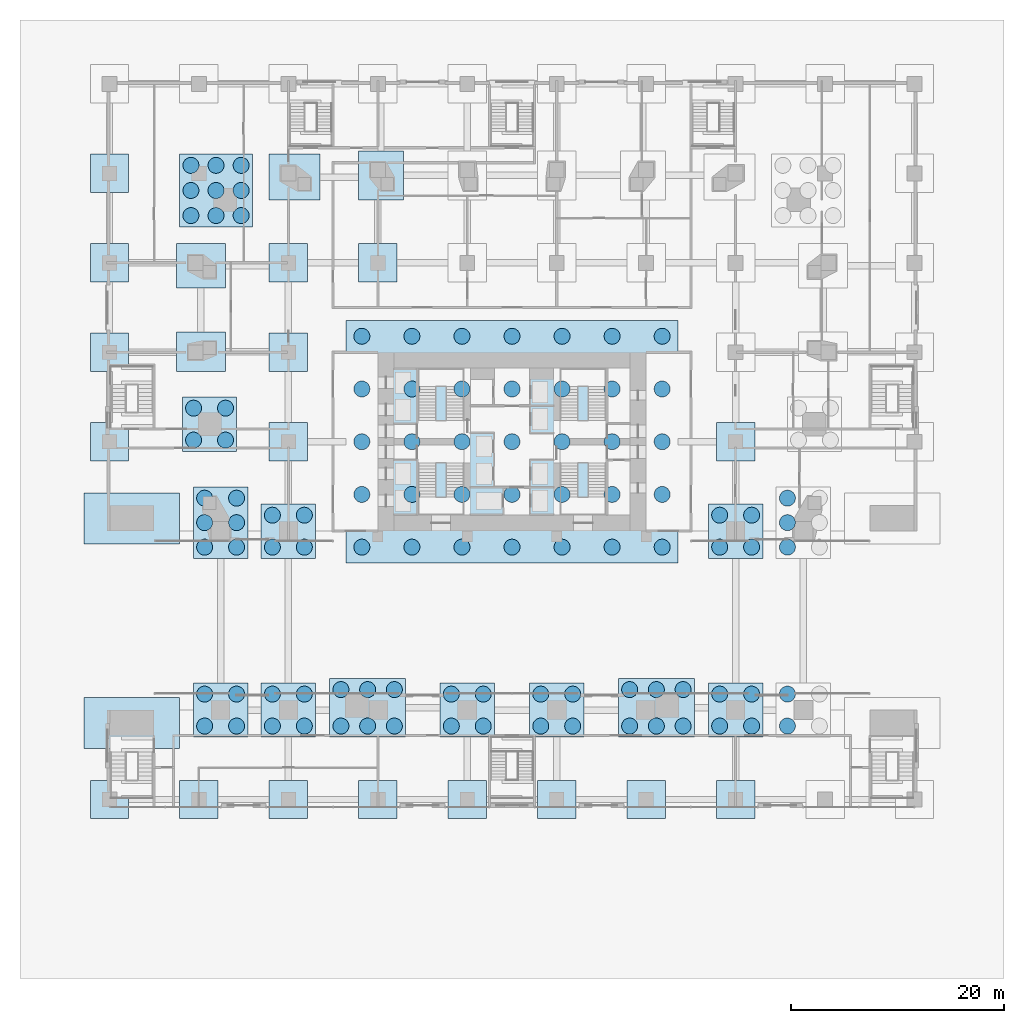
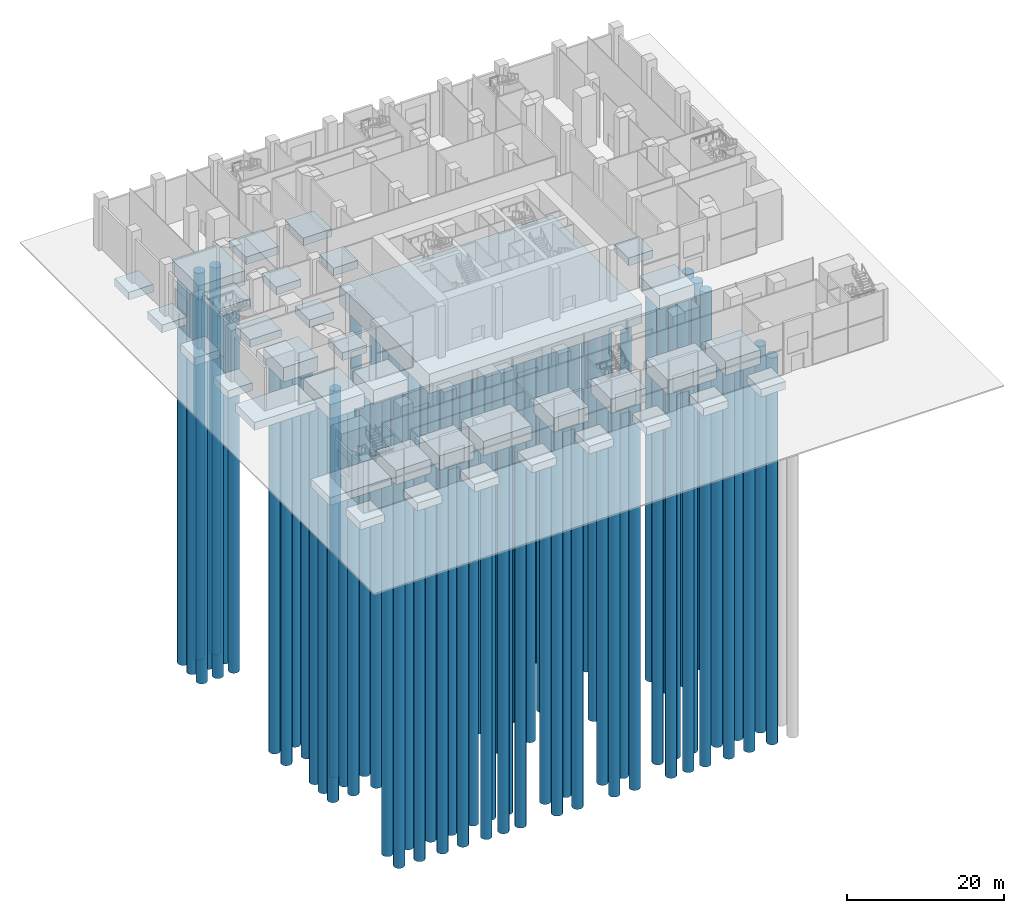
# One storey, part 1 of 31: 99 piles, 36 footings.
"""IFC4 building model written with IfcOpenShell, lengths in metres."""

from ifc_helpers import new_model, si_unit, direction, frame, origin, origin_2d, place, context, subcontext, project, spatial, polyline, circle, outline, extrude, material, layer, layer_set, type_object, element, save


model = new_model("IFC4")

# Units and contexts
model_context = context("Model", 3, precision=1e-05, world=origin(), true_north=direction((0.0, 1.0)))
body_context = subcontext(model_context, "Body", "Model", "MODEL_VIEW")
ifc_project = project(units=[si_unit("LENGTHUNIT", "METRE"), si_unit("AREAUNIT", "SQUARE_METRE"), si_unit("VOLUMEUNIT", "CUBIC_METRE"), si_unit("PLANEANGLEUNIT", "RADIAN"), si_unit("MASSUNIT", "GRAM", prefix="KILO")], contexts=[model_context])

# Site, building, storey
site_placement = place(None, origin())
site = spatial("IfcSite", under=ifc_project, at=site_placement, CompositionType="ELEMENT")
building_placement = place(site_placement, origin())
building = spatial("IfcBuilding", under=site, at=building_placement, Name="Marenta Gate Hotel Tower", CompositionType="ELEMENT")
storey_placement = place(building_placement, origin())
storey = spatial("IfcBuildingStorey", under=building, at=storey_placement, Name="L00", CompositionType="ELEMENT", Elevation=0.0)

# Piles
ifc_material_1 = material(Name="Concrete C40", Category="concrete")
pile_type = type_object("IfcPileType", Name="Bored pile D1500", PredefinedType="BORED", material=ifc_material_1)
for number, where, z_axis, x_axis, name in (
    (1, (-14.10009765625, -1.5, -3.300048828125), (0.0, 0.0, -1.0), (1.0, 0.0, 0.0), "BP-1500 L00-PL-CORE1"),
    (2, (-14.10009765625, 3.449951171875, -3.300048828125), (0.0, 0.0, -1.0), (1.0, 0.0, 0.0), "BP-1500 L00-PL-CORE2"),
    (3, (-14.10009765625, 8.39990234375, -3.300048828125), (0.0, 0.0, -1.0), (1.0, 0.0, 0.0), "BP-1500 L00-PL-CORE3"),
    (4, (-14.10009765625, 13.35009765625, -3.300048828125), (0.0, 0.0, -1.0), (1.0, 0.0, 0.0), "BP-1500 L00-PL-CORE4"),
    (5, (-14.10009765625, 18.300048828125, -3.300048828125), (0.0, 0.0, -1.0), (1.0, 0.0, 0.0), "BP-1500 L00-PL-CORE5"),
    (6, (-9.39990234375, -1.5, -3.300048828125), (0.0, 0.0, -1.0), (1.0, 0.0, 0.0), "BP-1500 L00-PL-CORE6"),
    (7, (-9.39990234375, 3.449951171875, -3.300048828125), (0.0, 0.0, -1.0), (1.0, 0.0, 0.0), "BP-1500 L00-PL-CORE7"),
    (8, (-9.39990234375, 8.39990234375, -3.300048828125), (0.0, 0.0, -1.0), (1.0, 0.0, 0.0), "BP-1500 L00-PL-CORE8"),
    (9, (-9.39990234375, 13.35009765625, -3.300048828125), (0.0, 0.0, -1.0), (1.0, 0.0, 0.0), "BP-1500 L00-PL-CORE9"),
    (10, (-9.39990234375, 18.300048828125, -3.300048828125), (0.0, 0.0, -1.0), (1.0, 0.0, 0.0), "BP-1500 L00-PL-CORE10"),
    (11, (-4.699951171875, -1.5, -3.300048828125), (0.0, 0.0, -1.0), (1.0, 0.0, 0.0), "BP-1500 L00-PL-CORE11"),
    (12, (-4.699951171875, 3.449951171875, -3.300048828125), (0.0, 0.0, -1.0), (1.0, 0.0, 0.0), "BP-1500 L00-PL-CORE12"),
    (13, (-4.699951171875, 8.39990234375, -3.300048828125), (0.0, 0.0, -1.0), (1.0, 0.0, 0.0), "BP-1500 L00-PL-CORE13"),
    (14, (-4.699951171875, 13.35009765625, -3.300048828125), (0.0, 0.0, -1.0), (1.0, 0.0, 0.0), "BP-1500 L00-PL-CORE14"),
    (15, (-4.699951171875, 18.300048828125, -3.300048828125), (0.0, 0.0, -1.0), (1.0, 0.0, 0.0), "BP-1500 L00-PL-CORE15"),
    (16, (0.0, -1.5, -3.300048828125), (0.0, 0.0, -1.0), (1.0, 0.0, 0.0), "BP-1500 L00-PL-CORE16"),
    (17, (0.0, 3.449951171875, -3.300048828125), (0.0, 0.0, -1.0), (1.0, 0.0, 0.0), "BP-1500 L00-PL-CORE17"),
    (18, (0.0, 8.39990234375, -3.300048828125), (0.0, 0.0, -1.0), (1.0, 0.0, 0.0), "BP-1500 L00-PL-CORE18"),
    (19, (0.0, 13.35009765625, -3.300048828125), (0.0, 0.0, -1.0), (1.0, 0.0, 0.0), "BP-1500 L00-PL-CORE19"),
    (20, (0.0, 18.300048828125, -3.300048828125), (0.0, 0.0, -1.0), (1.0, 0.0, 0.0), "BP-1500 L00-PL-CORE20"),
    (21, (4.699951171875, -1.5, -3.300048828125), (0.0, 0.0, -1.0), (1.0, 0.0, 0.0), "BP-1500 L00-PL-CORE21"),
    (22, (4.699951171875, 3.449951171875, -3.300048828125), (0.0, 0.0, -1.0), (1.0, 0.0, 0.0), "BP-1500 L00-PL-CORE22"),
    (23, (4.699951171875, 8.39990234375, -3.300048828125), (0.0, 0.0, -1.0), (1.0, 0.0, 0.0), "BP-1500 L00-PL-CORE23"),
    (24, (4.699951171875, 13.35009765625, -3.300048828125), (0.0, 0.0, -1.0), (1.0, 0.0, 0.0), "BP-1500 L00-PL-CORE24"),
    (25, (4.699951171875, 18.300048828125, -3.300048828125), (0.0, 0.0, -1.0), (1.0, 0.0, 0.0), "BP-1500 L00-PL-CORE25"),
    (26, (9.39990234375, -1.5, -3.300048828125), (0.0, 0.0, -1.0), (1.0, 0.0, 0.0), "BP-1500 L00-PL-CORE26"),
    (27, (9.39990234375, 3.449951171875, -3.300048828125), (0.0, 0.0, -1.0), (1.0, 0.0, 0.0), "BP-1500 L00-PL-CORE27"),
    (28, (9.39990234375, 8.39990234375, -3.300048828125), (0.0, 0.0, -1.0), (1.0, 0.0, 0.0), "BP-1500 L00-PL-CORE28"),
    (29, (9.39990234375, 13.35009765625, -3.300048828125), (0.0, 0.0, -1.0), (1.0, 0.0, 0.0), "BP-1500 L00-PL-CORE29"),
    (30, (9.39990234375, 18.300048828125, -3.300048828125), (0.0, 0.0, -1.0), (1.0, 0.0, 0.0), "BP-1500 L00-PL-CORE30"),
    (31, (14.10009765625, -1.5, -3.300048828125), (0.0, 0.0, -1.0), (1.0, 0.0, 0.0), "BP-1500 L00-PL-CORE31"),
    (32, (14.10009765625, 3.449951171875, -3.300048828125), (0.0, 0.0, -1.0), (1.0, 0.0, 0.0), "BP-1500 L00-PL-CORE32"),
    (33, (14.10009765625, 8.39990234375, -3.300048828125), (0.0, 0.0, -1.0), (1.0, 0.0, 0.0), "BP-1500 L00-PL-CORE33"),
    (34, (14.10009765625, 13.35009765625, -3.300048828125), (0.0, 0.0, -1.0), (1.0, 0.0, 0.0), "BP-1500 L00-PL-CORE34"),
    (35, (14.10009765625, 18.300048828125, -3.300048828125), (0.0, 0.0, -1.0), (1.0, 0.0, 0.0), "BP-1500 L00-PL-CORE35"),
    (36, (-22.5, -18.300048828125, -2.5), (0.0, 0.0, -1.0), (1.0, 0.0, 0.0), "BP-1500 L00-PL-4/D-1"),
    (37, (-22.5, -15.300048828125, -2.5), (0.0, 0.0, -1.0), (1.0, 0.0, 0.0), "BP-1500 L00-PL-4/D-2"),
    (38, (-19.5, -18.300048828125, -2.5), (0.0, 0.0, -1.0), (1.0, 0.0, 0.0), "BP-1500 L00-PL-4/D-3"),
    (39, (-19.5, -15.300048828125, -2.5), (0.0, 0.0, -1.0), (1.0, 0.0, 0.0), "BP-1500 L00-PL-4/D-4"),
    (40, (-16.06591796875, -18.300048828125, -2.5), (0.0, 0.0, -1.0), (1.0, 0.0, 0.0), "BP-1500 L00-PL-5/D+SKW-mega-1"),
    (41, (-16.06591796875, -14.875, -2.5), (0.0, 0.0, -1.0), (1.0, 0.0, 0.0), "BP-1500 L00-PL-5/D+SKW-mega-2"),
    (42, (-13.555908203125, -18.300048828125, -2.5), (0.0, 0.0, -1.0), (1.0, 0.0, 0.0), "BP-1500 L00-PL-5/D+SKW-mega-3"),
    (43, (-13.555908203125, -14.875, -2.5), (0.0, 0.0, -1.0), (1.0, 0.0, 0.0), "BP-1500 L00-PL-5/D+SKW-mega-4"),
    (44, (-11.0458984375, -18.300048828125, -2.5), (0.0, 0.0, -1.0), (1.0, 0.0, 0.0), "BP-1500 L00-PL-5/D+SKW-mega-5"),
    (45, (-11.0458984375, -14.875, -2.5), (0.0, 0.0, -1.0), (1.0, 0.0, 0.0), "BP-1500 L00-PL-5/D+SKW-mega-6"),
    (46, (-5.699951171875, -18.300048828125, -2.5), (0.0, 0.0, -1.0), (1.0, 0.0, 0.0), "BP-1500 L00-PL-6/D-1"),
    (47, (-5.699951171875, -15.300048828125, -2.5), (0.0, 0.0, -1.0), (1.0, 0.0, 0.0), "BP-1500 L00-PL-6/D-2"),
    (48, (-2.699951171875, -18.300048828125, -2.5), (0.0, 0.0, -1.0), (1.0, 0.0, 0.0), "BP-1500 L00-PL-6/D-3"),
    (49, (-2.699951171875, -15.300048828125, -2.5), (0.0, 0.0, -1.0), (1.0, 0.0, 0.0), "BP-1500 L00-PL-6/D-4"),
    (50, (2.699951171875, -18.300048828125, -2.5), (0.0, 0.0, -1.0), (1.0, 0.0, 0.0), "BP-1500 L00-PL-7/D-1"),
    (51, (2.699951171875, -15.300048828125, -2.5), (0.0, 0.0, -1.0), (1.0, 0.0, 0.0), "BP-1500 L00-PL-7/D-2"),
    (52, (5.699951171875, -18.300048828125, -2.5), (0.0, 0.0, -1.0), (1.0, 0.0, 0.0), "BP-1500 L00-PL-7/D-3"),
    (53, (5.699951171875, -15.300048828125, -2.5), (0.0, 0.0, -1.0), (1.0, 0.0, 0.0), "BP-1500 L00-PL-7/D-4"),
    (54, (11.0458984375, -18.300048828125, -2.5), (0.0, 0.0, -1.0), (1.0, 0.0, 0.0), "BP-1500 L00-PL-8/D+SKE-mega-1"),
    (55, (11.0458984375, -14.875, -2.5), (0.0, 0.0, -1.0), (1.0, 0.0, 0.0), "BP-1500 L00-PL-8/D+SKE-mega-2"),
    (56, (13.555908203125, -18.300048828125, -2.5), (0.0, 0.0, -1.0), (1.0, 0.0, 0.0), "BP-1500 L00-PL-8/D+SKE-mega-3"),
    (57, (13.555908203125, -14.875, -2.5), (0.0, 0.0, -1.0), (1.0, 0.0, 0.0), "BP-1500 L00-PL-8/D+SKE-mega-4"),
    (58, (16.06591796875, -18.300048828125, -2.5), (0.0, 0.0, -1.0), (1.0, 0.0, 0.0), "BP-1500 L00-PL-8/D+SKE-mega-5"),
    (59, (16.06591796875, -14.875, -2.5), (0.0, 0.0, -1.0), (1.0, 0.0, 0.0), "BP-1500 L00-PL-8/D+SKE-mega-6"),
    (60, (19.5, -18.300048828125, -2.5), (0.0, 0.0, -1.0), (1.0, 0.0, 0.0), "BP-1500 L00-PL-9/D-1"),
    (61, (19.5, -15.300048828125, -2.5), (0.0, 0.0, -1.0), (1.0, 0.0, 0.0), "BP-1500 L00-PL-9/D-2"),
    (62, (22.5, -18.300048828125, -2.5), (0.0, 0.0, -1.0), (1.0, 0.0, 0.0), "BP-1500 L00-PL-9/D-3"),
    (63, (22.5, -15.300048828125, -2.5), (0.0, 0.0, -1.0), (1.0, 0.0, 0.0), "BP-1500 L00-PL-9/D-4"),
    (64, (-22.5, -1.5, -2.5), (0.0, 0.0, -1.0), (1.0, 0.0, 0.0), "BP-1500 L00-PL-4/F-1"),
    (65, (-22.5, 1.5, -2.5), (0.0, 0.0, -1.0), (1.0, 0.0, 0.0), "BP-1500 L00-PL-4/F-2"),
    (66, (-19.5, -1.5, -2.5), (0.0, 0.0, -1.0), (1.0, 0.0, 0.0), "BP-1500 L00-PL-4/F-3"),
    (67, (-19.5, 1.5, -2.5), (0.0, 0.0, -1.0), (1.0, 0.0, 0.0), "BP-1500 L00-PL-4/F-4"),
    (68, (19.5, -1.5, -2.5), (0.0, 0.0, -1.0), (1.0, 0.0, 0.0), "BP-1500 L00-PL-9/F-1"),
    (69, (19.5, 1.5, -2.5), (0.0, 0.0, -1.0), (1.0, 0.0, 0.0), "BP-1500 L00-PL-9/F-2"),
    (70, (22.5, -1.5, -2.5), (0.0, 0.0, -1.0), (1.0, 0.0, 0.0), "BP-1500 L00-PL-9/F-3"),
    (71, (22.5, 1.5, -2.5), (0.0, 0.0, -1.0), (1.0, 0.0, 0.0), "BP-1500 L00-PL-9/F-4"),
    (72, (-30.14990234375, 29.635009765625, -2.5), (0.0, 0.0, -1.0), (1.0, 0.0, 0.0), "BP-1500 L00-PL-3/J+NW-mega-1"),
    (73, (-30.14990234375, 31.991943359375, -2.5), (0.0, 0.0, -1.0), (1.0, 0.0, 0.0), "BP-1500 L00-PL-3/J+NW-mega-2"),
    (74, (-30.14990234375, 34.35009765625, -2.5), (0.0, 0.0, -1.0), (1.0, 0.0, 0.0), "BP-1500 L00-PL-3/J+NW-mega-3"),
    (75, (-27.79296875, 29.635009765625, -2.5), (0.0, 0.0, -1.0), (1.0, 0.0, 0.0), "BP-1500 L00-PL-3/J+NW-mega-4"),
    (76, (-27.79296875, 31.991943359375, -2.5), (0.0, 0.0, -1.0), (1.0, 0.0, 0.0), "BP-1500 L00-PL-3/J+NW-mega-5"),
    (77, (-27.79296875, 34.35009765625, -2.5), (0.0, 0.0, -1.0), (1.0, 0.0, 0.0), "BP-1500 L00-PL-3/J+NW-mega-6"),
    (78, (-25.43603515625, 29.635009765625, -2.5), (0.0, 0.0, -1.0), (1.0, 0.0, 0.0), "BP-1500 L00-PL-3/J+NW-mega-7"),
    (79, (-25.43603515625, 31.991943359375, -2.5), (0.0, 0.0, -1.0), (1.0, 0.0, 0.0), "BP-1500 L00-PL-3/J+NW-mega-8"),
    (80, (-25.43603515625, 34.35009765625, -2.5), (0.0, 0.0, -1.0), (1.0, 0.0, 0.0), "BP-1500 L00-PL-3/J+NW-mega-9"),
    (81, (-28.863037109375, -18.300048828125, -2.5), (0.0, 0.0, -1.0), (1.0, 0.0, 0.0), "BP-1500 L00-PL-WS-lane-1"),
    (82, (-28.863037109375, -15.300048828125, -2.5), (0.0, 0.0, -1.0), (1.0, 0.0, 0.0), "BP-1500 L00-PL-WS-lane-2"),
    (83, (-25.863037109375, -18.300048828125, -2.5), (0.0, 0.0, -1.0), (1.0, 0.0, 0.0), "BP-1500 L00-PL-WS-lane-3"),
    (84, (-25.863037109375, -15.300048828125, -2.5), (0.0, 0.0, -1.0), (1.0, 0.0, 0.0), "BP-1500 L00-PL-WS-lane-4"),
    (85, (-28.863037109375, -1.5, -2.5), (0.0, 0.0, -1.0), (1.0, 0.0, 0.0), "BP-1500 L00-PL-WN-lane+BC-SW-W-2-1"),
    (86, (-28.863037109375, 0.800048828125, -2.5), (0.0, 0.0, -1.0), (1.0, 0.0, 0.0), "BP-1500 L00-PL-WN-lane+BC-SW-W-2-2"),
    (87, (-28.863037109375, 3.09912109375, -2.5), (0.0, 0.0, -1.0), (1.0, 0.0, 0.0), "BP-1500 L00-PL-WN-lane+BC-SW-W-2-3"),
    (88, (-25.863037109375, -1.5, -2.5), (0.0, 0.0, -1.0), (1.0, 0.0, 0.0), "BP-1500 L00-PL-WN-lane+BC-SW-W-2-4"),
    (89, (-25.863037109375, 0.800048828125, -2.5), (0.0, 0.0, -1.0), (1.0, 0.0, 0.0), "BP-1500 L00-PL-WN-lane+BC-SW-W-2-5"),
    (90, (-25.863037109375, 3.09912109375, -2.5), (0.0, 0.0, -1.0), (1.0, 0.0, 0.0), "BP-1500 L00-PL-WN-lane+BC-SW-W-2-6"),
    (91, (25.863037109375, -18.300048828125, -2.5), (0.0, 0.0, -1.0), (1.0, 0.0, 0.0), "BP-1500 L00-PL-ES-lane-1"),
    (92, (25.863037109375, -15.300048828125, -2.5), (0.0, 0.0, -1.0), (1.0, 0.0, 0.0), "BP-1500 L00-PL-ES-lane-2"),
    (93, (25.863037109375, -1.5, -2.5), (0.0, 0.0, -1.0), (1.0, 0.0, 0.0), "BP-1500 L00-PL-EN-lane+BC-E-SE-1-1"),
    (94, (25.863037109375, 0.800048828125, -2.5), (0.0, 0.0, -1.0), (1.0, 0.0, 0.0), "BP-1500 L00-PL-EN-lane+BC-E-SE-1-2"),
    (95, (25.863037109375, 3.09912109375, -2.5), (0.0, 0.0, -1.0), (1.0, 0.0, 0.0), "BP-1500 L00-PL-EN-lane+BC-E-SE-1-3"),
    (96, (-29.89990234375, 8.550048828125, -2.5), (0.0, 0.0, -1.0), (1.0, 0.0, 0.0), "BP-1500 L00-PL-W-mega-1"),
    (97, (-29.89990234375, 11.550048828125, -2.5), (0.0, 0.0, -1.0), (1.0, 0.0, 0.0), "BP-1500 L00-PL-W-mega-2"),
    (98, (-26.89990234375, 8.550048828125, -2.5), (0.0, 0.0, -1.0), (1.0, 0.0, 0.0), "BP-1500 L00-PL-W-mega-3"),
    (99, (-26.89990234375, 11.550048828125, -2.5), (0.0, 0.0, -1.0), (1.0, 0.0, 0.0), "BP-1500 L00-PL-W-mega-4"),
):
    element("IfcPile", number, at=place(storey_placement, frame(where, z_axis=z_axis, x_axis=x_axis)), inside=storey, type_object=pile_type, Name=name, PredefinedType="BORED", context=body_context, shape_type="SweptSolid", body=[
        extrude(circle(Radius=0.75, at=origin_2d()), origin(), (0.0, 0.0, 1.0), 60.0),
    ])

# Footings
ifc_material_2 = material(Name="Concrete C40", Category="concrete")
ifc_layer_1 = layer(ifc_material_2, 3.0)
ifc_layer_set_1 = layer_set([ifc_layer_1], Name="Concrete C40")
footing_type_1 = type_object("IfcFootingType", Name="Core pile cap 3000", PredefinedType="PILE_CAP", material=ifc_layer_set_1)
footing_1_placement = place(storey_placement, frame((0.0, 0.0, -3.300048828125)))
element("IfcFooting", 100, at=footing_1_placement, inside=storey, type_object=footing_type_1, Name="PC-CORE-3000 L00-FT-CORE", PredefinedType="PILE_CAP", context=body_context, shape_type="SweptSolid", body=[
    extrude(outline(polyline([(-15.60009765625, -3.0), (15.60009765625, -3.0), (15.60009765625, 19.800048828125), (-15.60009765625, 19.800048828125), (-15.60009765625, -3.0)])), origin(), (0.0, 0.0, 1.0), 3.0),
])
ifc_material_3 = material(Name="Concrete C40", Category="concrete")
ifc_layer_2 = layer(ifc_material_3, 1.199951171875)
ifc_layer_set_2 = layer_set([ifc_layer_2], Name="Concrete C40")
footing_type_2 = type_object("IfcFootingType", Name="Pad footing 3600 x 3600 x 1200", PredefinedType="PAD_FOOTING", material=ifc_layer_set_2)
footing_2_placement = place(storey_placement, frame((0.0, 0.0, -1.5)))
element("IfcFooting", 101, at=footing_2_placement, inside=storey, type_object=footing_type_2, Name="L00-FT-2/C", PredefinedType="PAD_FOOTING", context=body_context, shape_type="SweptSolid", body=[
    extrude(outline(polyline([(-39.60009765625, -27.0), (-36.0, -27.0), (-36.0, -23.39990234375), (-39.60009765625, -23.39990234375), (-39.60009765625, -27.0)])), origin(), (0.0, 0.0, 1.0), 1.199951171875),
])
footing_3_placement = place(storey_placement, frame((0.0, 0.0, -1.5)))
element("IfcFooting", 102, at=footing_3_placement, inside=storey, type_object=footing_type_2, Name="L00-FT-3/C", PredefinedType="PAD_FOOTING", context=body_context, shape_type="SweptSolid", body=[
    extrude(outline(polyline([(-31.199951171875, -27.0), (-27.60009765625, -27.0), (-27.60009765625, -23.39990234375), (-31.199951171875, -23.39990234375), (-31.199951171875, -27.0)])), origin(), (0.0, 0.0, 1.0), 1.199951171875),
])
footing_4_placement = place(storey_placement, frame((0.0, 0.0, -1.5)))
element("IfcFooting", 103, at=footing_4_placement, inside=storey, type_object=footing_type_2, Name="L00-FT-4/C", PredefinedType="PAD_FOOTING", context=body_context, shape_type="SweptSolid", body=[
    extrude(outline(polyline([(-22.800048828125, -27.0), (-19.199951171875, -27.0), (-19.199951171875, -23.39990234375), (-22.800048828125, -23.39990234375), (-22.800048828125, -27.0)])), origin(), (0.0, 0.0, 1.0), 1.199951171875),
])
footing_5_placement = place(storey_placement, frame((0.0, 0.0, -1.5)))
element("IfcFooting", 104, at=footing_5_placement, inside=storey, type_object=footing_type_2, Name="L00-FT-5/C", PredefinedType="PAD_FOOTING", context=body_context, shape_type="SweptSolid", body=[
    extrude(outline(polyline([(-14.39990234375, -27.0), (-10.800048828125, -27.0), (-10.800048828125, -23.39990234375), (-14.39990234375, -23.39990234375), (-14.39990234375, -27.0)])), origin(), (0.0, 0.0, 1.0), 1.199951171875),
])
footing_6_placement = place(storey_placement, frame((0.0, 0.0, -1.5)))
element("IfcFooting", 105, at=footing_6_placement, inside=storey, type_object=footing_type_2, Name="L00-FT-6/C", PredefinedType="PAD_FOOTING", context=body_context, shape_type="SweptSolid", body=[
    extrude(outline(polyline([(-6.0, -27.0), (-2.39990234375, -27.0), (-2.39990234375, -23.39990234375), (-6.0, -23.39990234375), (-6.0, -27.0)])), origin(), (0.0, 0.0, 1.0), 1.199951171875),
])
footing_7_placement = place(storey_placement, frame((0.0, 0.0, -1.5)))
element("IfcFooting", 106, at=footing_7_placement, inside=storey, type_object=footing_type_2, Name="L00-FT-7/C", PredefinedType="PAD_FOOTING", context=body_context, shape_type="SweptSolid", body=[
    extrude(outline(polyline([(2.39990234375, -27.0), (6.0, -27.0), (6.0, -23.39990234375), (2.39990234375, -23.39990234375), (2.39990234375, -27.0)])), origin(), (0.0, 0.0, 1.0), 1.199951171875),
])
footing_8_placement = place(storey_placement, frame((0.0, 0.0, -1.5)))
element("IfcFooting", 107, at=footing_8_placement, inside=storey, type_object=footing_type_2, Name="L00-FT-8/C", PredefinedType="PAD_FOOTING", context=body_context, shape_type="SweptSolid", body=[
    extrude(outline(polyline([(10.800048828125, -27.0), (14.39990234375, -27.0), (14.39990234375, -23.39990234375), (10.800048828125, -23.39990234375), (10.800048828125, -27.0)])), origin(), (0.0, 0.0, 1.0), 1.199951171875),
])
footing_9_placement = place(storey_placement, frame((0.0, 0.0, -1.5)))
element("IfcFooting", 108, at=footing_9_placement, inside=storey, type_object=footing_type_2, Name="L00-FT-9/C", PredefinedType="PAD_FOOTING", context=body_context, shape_type="SweptSolid", body=[
    extrude(outline(polyline([(19.199951171875, -27.0), (22.800048828125, -27.0), (22.800048828125, -23.39990234375), (19.199951171875, -23.39990234375), (19.199951171875, -27.0)])), origin(), (0.0, 0.0, 1.0), 1.199951171875),
])
footing_10_placement = place(storey_placement, frame((0.0, 0.0, -1.5)))
element("IfcFooting", 109, at=footing_10_placement, inside=storey, type_object=footing_type_2, Name="L00-FT-2/G", PredefinedType="PAD_FOOTING", context=body_context, shape_type="SweptSolid", body=[
    extrude(outline(polyline([(-39.60009765625, 6.60009765625), (-36.0, 6.60009765625), (-36.0, 10.199951171875), (-39.60009765625, 10.199951171875), (-39.60009765625, 6.60009765625)])), origin(), (0.0, 0.0, 1.0), 1.199951171875),
])
footing_11_placement = place(storey_placement, frame((0.0, 0.0, -1.5)))
element("IfcFooting", 110, at=footing_11_placement, inside=storey, type_object=footing_type_2, Name="L00-FT-4/G", PredefinedType="PAD_FOOTING", context=body_context, shape_type="SweptSolid", body=[
    extrude(outline(polyline([(-22.800048828125, 6.60009765625), (-19.199951171875, 6.60009765625), (-19.199951171875, 10.199951171875), (-22.800048828125, 10.199951171875), (-22.800048828125, 6.60009765625)])), origin(), (0.0, 0.0, 1.0), 1.199951171875),
])
footing_12_placement = place(storey_placement, frame((0.0, 0.0, -1.5)))
element("IfcFooting", 111, at=footing_12_placement, inside=storey, type_object=footing_type_2, Name="L00-FT-9/G", PredefinedType="PAD_FOOTING", context=body_context, shape_type="SweptSolid", body=[
    extrude(outline(polyline([(19.199951171875, 6.60009765625), (22.800048828125, 6.60009765625), (22.800048828125, 10.199951171875), (19.199951171875, 10.199951171875), (19.199951171875, 6.60009765625)])), origin(), (0.0, 0.0, 1.0), 1.199951171875),
])
footing_13_placement = place(storey_placement, frame((0.0, 0.0, -1.5)))
element("IfcFooting", 112, at=footing_13_placement, inside=storey, type_object=footing_type_2, Name="L00-FT-2/H", PredefinedType="PAD_FOOTING", context=body_context, shape_type="SweptSolid", body=[
    extrude(outline(polyline([(-39.60009765625, 15.0), (-36.0, 15.0), (-36.0, 18.60009765625), (-39.60009765625, 18.60009765625), (-39.60009765625, 15.0)])), origin(), (0.0, 0.0, 1.0), 1.199951171875),
])
footing_14_placement = place(storey_placement, frame((0.0, 0.0, -1.5)))
element("IfcFooting", 113, at=footing_14_placement, inside=storey, type_object=footing_type_2, Name="L00-FT-4/H", PredefinedType="PAD_FOOTING", context=body_context, shape_type="SweptSolid", body=[
    extrude(outline(polyline([(-22.800048828125, 15.0), (-19.199951171875, 15.0), (-19.199951171875, 18.60009765625), (-22.800048828125, 18.60009765625), (-22.800048828125, 15.0)])), origin(), (0.0, 0.0, 1.0), 1.199951171875),
])
footing_15_placement = place(storey_placement, frame((0.0, 0.0, -1.5)))
element("IfcFooting", 114, at=footing_15_placement, inside=storey, type_object=footing_type_2, Name="L00-FT-2/I", PredefinedType="PAD_FOOTING", context=body_context, shape_type="SweptSolid", body=[
    extrude(outline(polyline([(-39.60009765625, 23.39990234375), (-36.0, 23.39990234375), (-36.0, 27.0), (-39.60009765625, 27.0), (-39.60009765625, 23.39990234375)])), origin(), (0.0, 0.0, 1.0), 1.199951171875),
])
footing_16_placement = place(storey_placement, frame((0.0, 0.0, -1.5)))
element("IfcFooting", 115, at=footing_16_placement, inside=storey, type_object=footing_type_2, Name="L00-FT-4/I", PredefinedType="PAD_FOOTING", context=body_context, shape_type="SweptSolid", body=[
    extrude(outline(polyline([(-22.800048828125, 23.39990234375), (-19.199951171875, 23.39990234375), (-19.199951171875, 27.0), (-22.800048828125, 27.0), (-22.800048828125, 23.39990234375)])), origin(), (0.0, 0.0, 1.0), 1.199951171875),
])
footing_17_placement = place(storey_placement, frame((0.0, 0.0, -1.5)))
element("IfcFooting", 116, at=footing_17_placement, inside=storey, type_object=footing_type_2, Name="L00-FT-5/I", PredefinedType="PAD_FOOTING", context=body_context, shape_type="SweptSolid", body=[
    extrude(outline(polyline([(-14.39990234375, 23.39990234375), (-10.800048828125, 23.39990234375), (-10.800048828125, 27.0), (-14.39990234375, 27.0), (-14.39990234375, 23.39990234375)])), origin(), (0.0, 0.0, 1.0), 1.199951171875),
])
footing_18_placement = place(storey_placement, frame((0.0, 0.0, -1.5)))
element("IfcFooting", 117, at=footing_18_placement, inside=storey, type_object=footing_type_2, Name="L00-FT-2/J", PredefinedType="PAD_FOOTING", context=body_context, shape_type="SweptSolid", body=[
    extrude(outline(polyline([(-39.60009765625, 31.800048828125), (-36.0, 31.800048828125), (-36.0, 35.39990234375), (-39.60009765625, 35.39990234375), (-39.60009765625, 31.800048828125)])), origin(), (0.0, 0.0, 1.0), 1.199951171875),
])
ifc_material_4 = material(Name="Concrete C40", Category="concrete")
ifc_layer_3 = layer(ifc_material_4, 1.199951171875)
ifc_layer_set_3 = layer_set([ifc_layer_3], Name="Concrete C40")
footing_type_3 = type_object("IfcFootingType", Name="Pad footing 4196 x 4620 x 1200", PredefinedType="PAD_FOOTING", material=ifc_layer_set_3)
footing_19_placement = place(storey_placement, frame((0.0, 0.0, -1.5)))
element("IfcFooting", 118, at=footing_19_placement, inside=storey, type_object=footing_type_3, Name="L00-FT-5/J+BC-NW-NE-2", PredefinedType="PAD_FOOTING", context=body_context, shape_type="SweptSolid", body=[
    extrude(outline(polyline([(-14.39990234375, 31.10009765625), (-10.2041015625, 31.10009765625), (-10.2041015625, 35.719970703125), (-14.39990234375, 35.719970703125), (-14.39990234375, 31.10009765625)])), origin(), (0.0, 0.0, 1.0), 1.199951171875),
])
ifc_material_5 = material(Name="Concrete C40", Category="concrete")
ifc_layer_4 = layer(ifc_material_5, 1.199951171875)
ifc_layer_set_4 = layer_set([ifc_layer_4], Name="Concrete C40")
footing_type_4 = type_object("IfcFootingType", Name="Pad footing 4620 x 3703 x 1200", PredefinedType="PAD_FOOTING", material=ifc_layer_set_4)
footing_20_placement = place(storey_placement, frame((0.0, 0.0, -1.5)))
element("IfcFooting", 119, at=footing_20_placement, inside=storey, type_object=footing_type_4, Name="L00-FT-3/H+BC-W-NW-1", PredefinedType="PAD_FOOTING", context=body_context, shape_type="SweptSolid", body=[
    extrude(outline(polyline([(-31.52001953125, 15.0), (-26.89990234375, 15.0), (-26.89990234375, 18.702880859375), (-31.52001953125, 18.702880859375), (-31.52001953125, 15.0)])), origin(), (0.0, 0.0, 1.0), 1.199951171875),
])
ifc_material_6 = material(Name="Concrete C40", Category="concrete")
ifc_layer_5 = layer(ifc_material_6, 1.199951171875)
ifc_layer_set_5 = layer_set([ifc_layer_5], Name="Concrete C40")
footing_type_5 = type_object("IfcFootingType", Name="Pad footing 4620 x 4144 x 1200", PredefinedType="PAD_FOOTING", material=ifc_layer_set_5)
footing_21_placement = place(storey_placement, frame((0.0, 0.0, -1.5)))
element("IfcFooting", 120, at=footing_21_placement, inside=storey, type_object=footing_type_5, Name="L00-FT-3/I+BC-W-NW-2", PredefinedType="PAD_FOOTING", context=body_context, shape_type="SweptSolid", body=[
    extrude(outline(polyline([(-31.52001953125, 22.85595703125), (-26.89990234375, 22.85595703125), (-26.89990234375, 27.0), (-31.52001953125, 27.0), (-31.52001953125, 22.85595703125)])), origin(), (0.0, 0.0, 1.0), 1.199951171875),
])
ifc_material_7 = material(Name="Concrete C40", Category="concrete")
ifc_layer_6 = layer(ifc_material_7, 1.199951171875)
ifc_layer_set_6 = layer_set([ifc_layer_6], Name="Concrete C40")
footing_type_6 = type_object("IfcFootingType", Name="Pad footing 4793 x 4300 x 1200", PredefinedType="PAD_FOOTING", material=ifc_layer_set_6)
footing_22_placement = place(storey_placement, frame((0.0, 0.0, -1.5)))
element("IfcFooting", 121, at=footing_22_placement, inside=storey, type_object=footing_type_6, Name="L00-FT-4/J+BC-NW-NE-1", PredefinedType="PAD_FOOTING", context=body_context, shape_type="SweptSolid", body=[
    extrude(outline(polyline([(-22.800048828125, 31.10009765625), (-18.007080078125, 31.10009765625), (-18.007080078125, 35.39990234375), (-22.800048828125, 35.39990234375), (-22.800048828125, 31.10009765625)])), origin(), (0.0, 0.0, 1.0), 1.199951171875),
])
ifc_material_8 = material(Name="Concrete C40", Category="concrete")
ifc_layer_7 = layer(ifc_material_8, 2.199951171875)
ifc_layer_set_7 = layer_set([ifc_layer_7], Name="Concrete C40")
footing_type_7 = type_object("IfcFootingType", Name="Pile cap 5100 x 5100 x 2200", PredefinedType="PILE_CAP", material=ifc_layer_set_7)
footing_23_placement = place(storey_placement, frame((0.0, 0.0, -2.5)))
element("IfcFooting", 122, at=footing_23_placement, inside=storey, type_object=footing_type_7, Name="L00-FT-4/D", PredefinedType="PILE_CAP", context=body_context, shape_type="SweptSolid", body=[
    extrude(outline(polyline([(-23.550048828125, -19.35009765625), (-18.449951171875, -19.35009765625), (-18.449951171875, -14.25), (-23.550048828125, -14.25), (-23.550048828125, -19.35009765625)])), origin(), (0.0, 0.0, 1.0), 2.199951171875),
])
footing_24_placement = place(storey_placement, frame((0.0, 0.0, -2.5)))
element("IfcFooting", 123, at=footing_24_placement, inside=storey, type_object=footing_type_7, Name="L00-FT-6/D", PredefinedType="PILE_CAP", context=body_context, shape_type="SweptSolid", body=[
    extrude(outline(polyline([(-6.75, -19.35009765625), (-1.64990234375, -19.35009765625), (-1.64990234375, -14.25), (-6.75, -14.25), (-6.75, -19.35009765625)])), origin(), (0.0, 0.0, 1.0), 2.199951171875),
])
footing_25_placement = place(storey_placement, frame((0.0, 0.0, -2.5)))
element("IfcFooting", 124, at=footing_25_placement, inside=storey, type_object=footing_type_7, Name="L00-FT-7/D", PredefinedType="PILE_CAP", context=body_context, shape_type="SweptSolid", body=[
    extrude(outline(polyline([(1.64990234375, -19.35009765625), (6.75, -19.35009765625), (6.75, -14.25), (1.64990234375, -14.25), (1.64990234375, -19.35009765625)])), origin(), (0.0, 0.0, 1.0), 2.199951171875),
])
footing_26_placement = place(storey_placement, frame((0.0, 0.0, -2.5)))
element("IfcFooting", 125, at=footing_26_placement, inside=storey, type_object=footing_type_7, Name="L00-FT-9/D", PredefinedType="PILE_CAP", context=body_context, shape_type="SweptSolid", body=[
    extrude(outline(polyline([(18.449951171875, -19.35009765625), (23.550048828125, -19.35009765625), (23.550048828125, -14.25), (18.449951171875, -14.25), (18.449951171875, -19.35009765625)])), origin(), (0.0, 0.0, 1.0), 2.199951171875),
])
footing_27_placement = place(storey_placement, frame((0.0, 0.0, -2.5)))
element("IfcFooting", 126, at=footing_27_placement, inside=storey, type_object=footing_type_7, Name="L00-FT-4/F", PredefinedType="PILE_CAP", context=body_context, shape_type="SweptSolid", body=[
    extrude(outline(polyline([(-23.550048828125, -2.550048828125), (-18.449951171875, -2.550048828125), (-18.449951171875, 2.550048828125), (-23.550048828125, 2.550048828125), (-23.550048828125, -2.550048828125)])), origin(), (0.0, 0.0, 1.0), 2.199951171875),
])
footing_28_placement = place(storey_placement, frame((0.0, 0.0, -2.5)))
element("IfcFooting", 127, at=footing_28_placement, inside=storey, type_object=footing_type_7, Name="L00-FT-9/F", PredefinedType="PILE_CAP", context=body_context, shape_type="SweptSolid", body=[
    extrude(outline(polyline([(18.449951171875, -2.550048828125), (23.550048828125, -2.550048828125), (23.550048828125, 2.550048828125), (18.449951171875, 2.550048828125), (18.449951171875, -2.550048828125)])), origin(), (0.0, 0.0, 1.0), 2.199951171875),
])
footing_29_placement = place(storey_placement, frame((0.0, 0.0, -2.5)))
element("IfcFooting", 128, at=footing_29_placement, inside=storey, type_object=footing_type_7, Name="L00-FT-WS-lane", PredefinedType="PILE_CAP", context=body_context, shape_type="SweptSolid", body=[
    extrude(outline(polyline([(-29.9130859375, -19.35009765625), (-24.81298828125, -19.35009765625), (-24.81298828125, -14.25), (-29.9130859375, -14.25), (-29.9130859375, -19.35009765625)])), origin(), (0.0, 0.0, 1.0), 2.199951171875),
])
footing_30_placement = place(storey_placement, frame((0.0, 0.0, -2.5)))
element("IfcFooting", 129, at=footing_30_placement, inside=storey, type_object=footing_type_7, Name="L00-FT-W-mega", PredefinedType="PILE_CAP", context=body_context, shape_type="SweptSolid", body=[
    extrude(outline(polyline([(-30.949951171875, 7.5), (-25.85009765625, 7.5), (-25.85009765625, 12.60009765625), (-30.949951171875, 12.60009765625), (-30.949951171875, 7.5)])), origin(), (0.0, 0.0, 1.0), 2.199951171875),
])
ifc_material_9 = material(Name="Concrete C40", Category="concrete")
ifc_layer_8 = layer(ifc_material_9, 2.199951171875)
ifc_layer_set_8 = layer_set([ifc_layer_8], Name="Concrete C40")
footing_type_8 = type_object("IfcFootingType", Name="Pile cap 5100 x 6699 x 2200", PredefinedType="PILE_CAP", material=ifc_layer_set_8)
footing_31_placement = place(storey_placement, frame((0.0, 0.0, -2.5)))
element("IfcFooting", 130, at=footing_31_placement, inside=storey, type_object=footing_type_8, Name="L00-FT-WN-lane+BC-SW-W-2", PredefinedType="PILE_CAP", context=body_context, shape_type="SweptSolid", body=[
    extrude(outline(polyline([(-29.9130859375, -2.550048828125), (-24.81298828125, -2.550048828125), (-24.81298828125, 4.14892578125), (-29.9130859375, 4.14892578125), (-29.9130859375, -2.550048828125)])), origin(), (0.0, 0.0, 1.0), 2.199951171875),
])
ifc_material_10 = material(Name="Concrete C40", Category="concrete")
ifc_layer_9 = layer(ifc_material_10, 2.199951171875)
ifc_layer_set_9 = layer_set([ifc_layer_9], Name="Concrete C40")
footing_type_9 = type_object("IfcFootingType", Name="Pile cap 6814 x 6815 x 2200", PredefinedType="PILE_CAP", material=ifc_layer_set_9)
footing_32_placement = place(storey_placement, frame((0.0, 0.0, -2.5)))
element("IfcFooting", 131, at=footing_32_placement, inside=storey, type_object=footing_type_9, Name="L00-FT-3/J+NW-mega", PredefinedType="PILE_CAP", context=body_context, shape_type="SweptSolid", body=[
    extrude(outline(polyline([(-31.199951171875, 28.5849609375), (-24.385986328125, 28.5849609375), (-24.385986328125, 35.39990234375), (-31.199951171875, 35.39990234375), (-31.199951171875, 28.5849609375)])), origin(), (0.0, 0.0, 1.0), 2.199951171875),
])
ifc_material_11 = material(Name="Concrete C40", Category="concrete")
ifc_layer_10 = layer(ifc_material_11, 2.199951171875)
ifc_layer_set_10 = layer_set([ifc_layer_10], Name="Concrete C40")
footing_type_10 = type_object("IfcFootingType", Name="Pile cap 7120 x 5525 x 2200", PredefinedType="PILE_CAP", material=ifc_layer_set_10)
footing_33_placement = place(storey_placement, frame((0.0, 0.0, -2.5)))
element("IfcFooting", 132, at=footing_33_placement, inside=storey, type_object=footing_type_10, Name="L00-FT-5/D+SKW-mega", PredefinedType="PILE_CAP", context=body_context, shape_type="SweptSolid", body=[
    extrude(outline(polyline([(-17.115966796875, -19.35009765625), (-9.99609375, -19.35009765625), (-9.99609375, -13.824951171875), (-17.115966796875, -13.824951171875), (-17.115966796875, -19.35009765625)])), origin(), (0.0, 0.0, 1.0), 2.199951171875),
])
footing_34_placement = place(storey_placement, frame((0.0, 0.0, -2.5)))
element("IfcFooting", 133, at=footing_34_placement, inside=storey, type_object=footing_type_10, Name="L00-FT-8/D+SKE-mega", PredefinedType="PILE_CAP", context=body_context, shape_type="SweptSolid", body=[
    extrude(outline(polyline([(9.99609375, -19.35009765625), (17.115966796875, -19.35009765625), (17.115966796875, -13.824951171875), (9.99609375, -13.824951171875), (9.99609375, -19.35009765625)])), origin(), (0.0, 0.0, 1.0), 2.199951171875),
])
ifc_material_12 = material(Name="Concrete C40", Category="concrete")
ifc_layer_11 = layer(ifc_material_12, 1.199951171875)
ifc_layer_set_11 = layer_set([ifc_layer_11], Name="Concrete C40")
footing_type_11 = type_object("IfcFootingType", Name="Strip footing 4800 x 1200", PredefinedType="STRIP_FOOTING", material=ifc_layer_set_11)
footing_35_placement = place(storey_placement, frame((0.0, 0.0, -1.5)))
element("IfcFooting", 134, at=footing_35_placement, inside=storey, type_object=footing_type_11, Name="SF-4800 L00-FT-WWS", PredefinedType="STRIP_FOOTING", context=body_context, shape_type="SweptSolid", body=[
    extrude(outline(polyline([(-40.199951171875, -20.39990234375), (-31.199951171875, -20.39990234375), (-31.199951171875, -15.60009765625), (-40.199951171875, -15.60009765625), (-40.199951171875, -20.39990234375)])), origin(), (0.0, 0.0, 1.0), 1.199951171875),
])
footing_36_placement = place(storey_placement, frame((0.0, 0.0, -1.5)))
element("IfcFooting", 135, at=footing_36_placement, inside=storey, type_object=footing_type_11, Name="SF-4800 L00-FT-WWN", PredefinedType="STRIP_FOOTING", context=body_context, shape_type="SweptSolid", body=[
    extrude(outline(polyline([(-40.199951171875, -1.199951171875), (-31.199951171875, -1.199951171875), (-31.199951171875, 3.60009765625), (-40.199951171875, 3.60009765625), (-40.199951171875, -1.199951171875)])), origin(), (0.0, 0.0, 1.0), 1.199951171875),
])

save(model, "model.ifc")
